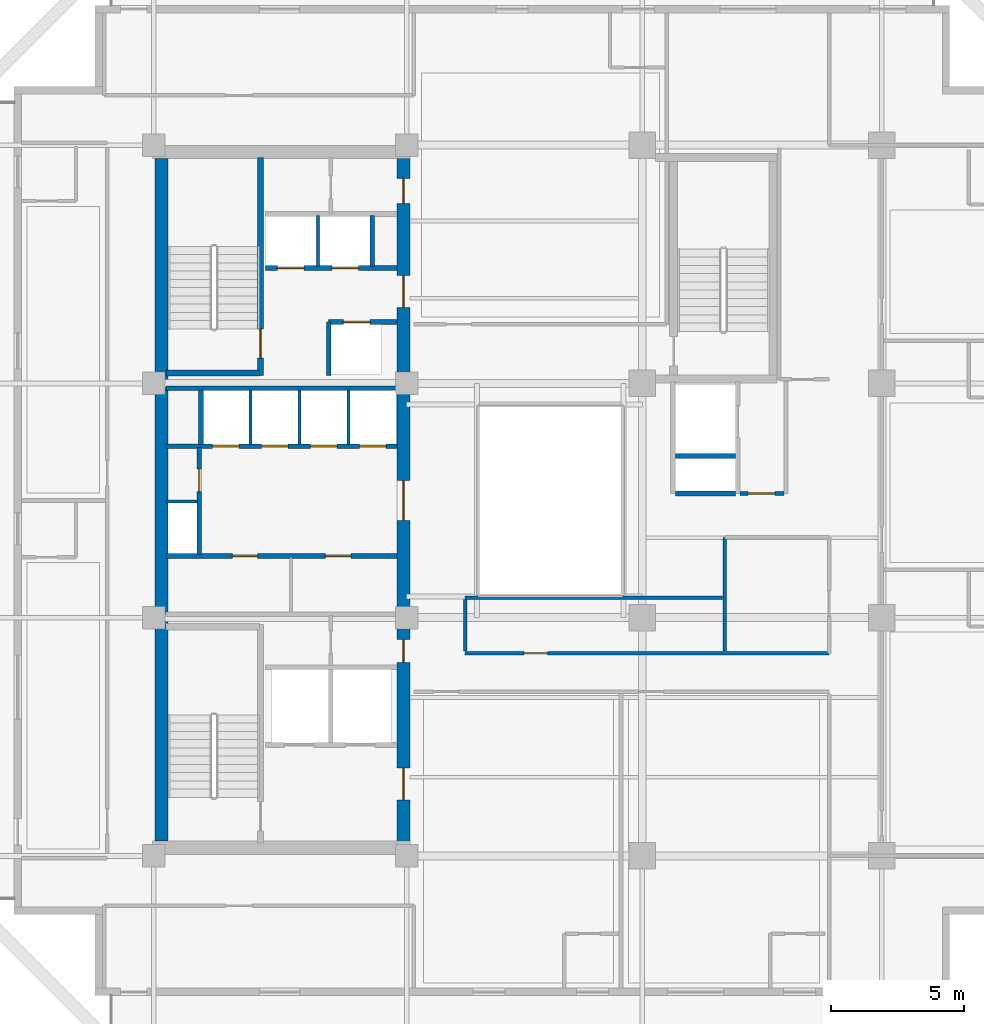
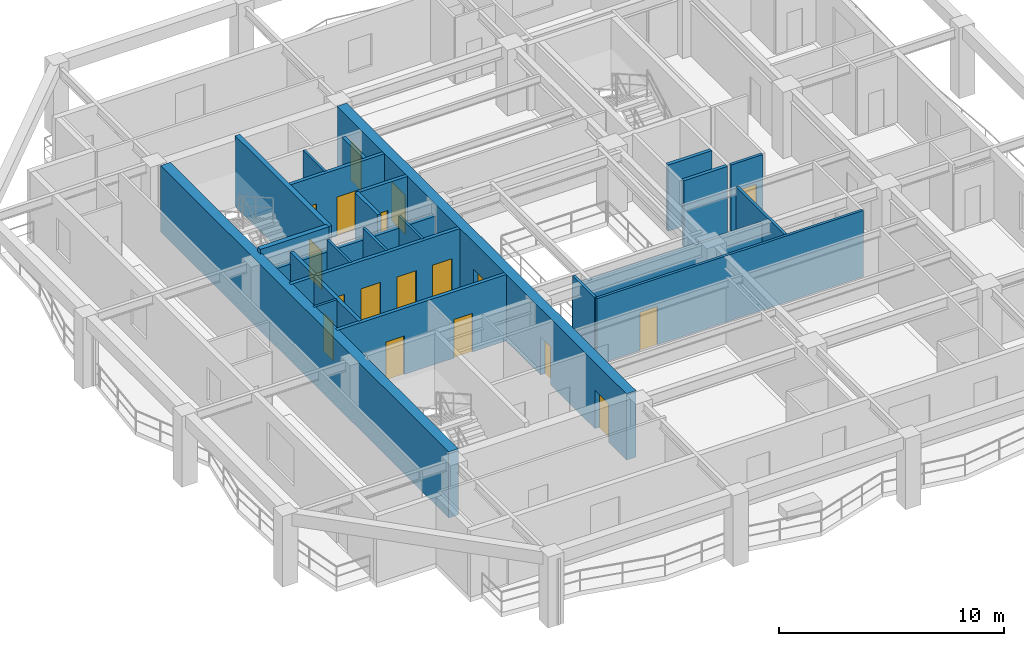
# One storey, part 4 of 11: 25 walls, 18 doors, 18 openings.
"""IFC4 building model written with IfcOpenShell, lengths in metres."""

from ifc_helpers import new_model, si_unit, direction, frame, frame_2d, origin, place, context, subcontext, project, spatial, rectangle, extrude, material, layer, layer_set, type_object, element, fill, save


model = new_model("IFC4")

# Units and contexts
model_context = context("Model", 3, precision=1e-05, world=origin(), true_north=direction((0.0, 1.0)))
body_context = subcontext(model_context, "Body", "Model", "MODEL_VIEW")
ifc_project = project(units=[si_unit("LENGTHUNIT", "METRE"), si_unit("AREAUNIT", "SQUARE_METRE"), si_unit("VOLUMEUNIT", "CUBIC_METRE"), si_unit("PLANEANGLEUNIT", "RADIAN"), si_unit("MASSUNIT", "GRAM", prefix="KILO")], contexts=[model_context])

# Site, building, storey
site_placement = place(None, origin())
site = spatial("IfcSite", under=ifc_project, at=site_placement, CompositionType="ELEMENT")
building_placement = place(site_placement, origin())
building = spatial("IfcBuilding", under=site, at=building_placement, Name="Kundavana Baori Tower", CompositionType="ELEMENT")
storey_placement = place(building_placement, frame((0.0, 0.0, 119.39990234375)))
storey = spatial("IfcBuildingStorey", under=building, at=storey_placement, Name="L28", CompositionType="ELEMENT", Elevation=119.39990234375)

# Wall, opening, door
ifc_material_1 = material(Name="Concrete C50/60", Category="concrete")
ifc_layer_1 = layer(ifc_material_1, 0.39990234375, Name="WL-CORE-400")
ifc_layer_set_1 = layer_set([ifc_layer_1], Name="Concrete C50/60")
wall_type_1 = type_object("IfcWallType", Name="WL-CORE-400", PredefinedType="SHEAR", material=ifc_layer_set_1)
wall_1_placement = place(storey_placement, frame((19.4599609375, 33.300048828125, 0.0), z_axis=(0.0, 0.0, 1.0), x_axis=(0.0, 1.0, 0.0)))
wall_1 = element("IfcWall", 1, at=wall_1_placement, inside=storey, type_object=wall_type_1, Name="WL-L28-ST2-E", PredefinedType="SHEAR", context=body_context, shape_type="SweptSolid", body=[
    extrude(rectangle(XDim=8.179931640625, YDim=0.239990234375, at=frame_2d((4.08984375, 0.0))), origin(), (0.0, 0.0, 1.0), 3.85009765625),
])
opening_1_placement = place(wall_1_placement, frame((0.64990234375, 0.0, 0.0)))
opening_1 = element("IfcOpeningElement", 2, at=opening_1_placement, cuts=wall_1, Name="Opening FD-110", PredefinedType="OPENING", context=body_context, shape_type="SweptSolid", body=[
    extrude(rectangle(XDim=1.10009765625, YDim=2.10009765625, at=frame_2d((0.550048828125, 1.050048828125))), frame((0.0, 0.1298828125, 0.0), z_axis=(0.0, -1.0, 0.0), x_axis=(1.0, 0.0, 0.0)), (0.0, 0.0, 1.0), 0.260009765625),
])
ifc_material_2 = material(Name="Galvanised Steel Fire-Rated Door Leaf", Category="steel")
door_type_1 = type_object("IfcDoorType", Name="DR-FD120-1100", OperationType="NOTDEFINED", PredefinedType="DOOR", material=ifc_material_2)
door_1_placement = place(opening_1_placement, origin())
door_1 = element("IfcDoor", 3, at=door_1_placement, inside=storey, type_object=door_type_1, Name="DR-L28-ST2", OperationType="SINGLE_SWING_RIGHT", OverallHeight=2.10009765625, OverallWidth=1.10009765625, PredefinedType="DOOR", context=body_context, shape_type="SweptSolid", body=[
    extrude(rectangle(XDim=1.10009765625, YDim=2.10009765625, at=frame_2d((0.550048828125, 1.050048828125))), frame((0.0, 0.02490234375, 0.0), z_axis=(0.0, -1.0, 0.0), x_axis=(1.0, 0.0, 0.0)), (0.0, 0.0, 1.0), 0.050048828125),
])
fill(opening_1, door_1)

# Walls
wall_2_placement = place(storey_placement, frame((15.89990234375, 33.389892578125, 0.0), z_axis=(0.0, 0.0, 1.0), x_axis=(1.0, 0.0, 0.0)))
element("IfcWall", 4, at=wall_2_placement, inside=storey, type_object=wall_type_1, Name="WL-L28-ST2-S", PredefinedType="SHEAR", context=body_context, shape_type="SweptSolid", body=[
    extrude(rectangle(XDim=3.52001953125, YDim=0.239990234375, at=frame_2d((1.760009765625, 0.0))), origin(), (0.0, 0.0, 1.0), 3.85009765625),
])
ifc_material_3 = material(Name="Concrete C50/60", Category="concrete")
ifc_layer_2 = layer(ifc_material_3, 0.5, Name="WL-CORE-500")
ifc_layer_set_2 = layer_set([ifc_layer_2], Name="Concrete C50/60")
wall_type_2 = type_object("IfcWallType", Name="WL-CORE-500", PredefinedType="SHEAR", material=ifc_layer_set_2)
wall_3_placement = place(storey_placement, frame((15.739990234375, 15.81005859375, 0.0), z_axis=(0.0, 0.0, 1.0), x_axis=(0.0, 1.0, 0.0)))
element("IfcWall", 5, at=wall_3_placement, inside=storey, type_object=wall_type_2, Name="L28 Offset Core West Shear Wall", PredefinedType="SHEAR", context=body_context, shape_type="SweptSolid", body=[
    extrude(rectangle(XDim=25.6298828125, YDim=0.5, at=frame_2d((12.81494140625, 0.0))), origin(), (0.0, 0.0, 1.0), 3.60009765625),
])

# Wall, openings, doors
wall_4_placement = place(storey_placement, frame((24.830078125, 15.739990234375, 0.0), z_axis=(0.0, 0.0, 1.0), x_axis=(0.0, 1.0, 0.0)))
wall_4 = element("IfcWall", 6, at=wall_4_placement, inside=storey, type_object=wall_type_2, Name="L28 Offset Core East Shear Wall", PredefinedType="SHEAR", context=body_context, shape_type="SweptSolid", body=[
    extrude(rectangle(XDim=25.760009765625, YDim=0.5, at=frame_2d((12.8798828125, 0.0))), origin(), (0.0, 0.0, 1.0), 3.60009765625),
])
opening_2_placement = place(wall_4_placement, frame((1.610107421875, 0.0, 0.0)))
opening_2 = element("IfcOpeningElement", 7, at=opening_2_placement, cuts=wall_4, Name="Opening FD-120", PredefinedType="OPENING", context=body_context, shape_type="SweptSolid", body=[
    extrude(rectangle(XDim=1.199951171875, YDim=2.10009765625, at=frame_2d((0.60009765625, 1.050048828125))), frame((0.0, 0.260009765625, 0.0), z_axis=(0.0, -1.0, 0.0), x_axis=(1.0, 0.0, 0.0)), (0.0, 0.0, 1.0), 0.52001953125),
])
opening_3_placement = place(wall_4_placement, frame((6.780029296875, 0.0, 0.0)))
opening_3 = element("IfcOpeningElement", 8, at=opening_3_placement, cuts=wall_4, Name="Opening FD-085", PredefinedType="OPENING", context=body_context, shape_type="SweptSolid", body=[
    extrude(rectangle(XDim=0.85009765625, YDim=2.06005859375, at=frame_2d((0.425048828125, 1.030029296875))), frame((0.0, 0.260009765625, 0.0), z_axis=(0.0, -1.0, 0.0), x_axis=(1.0, 0.0, 0.0)), (0.0, 0.0, 1.0), 0.52001953125),
])
opening_4_placement = place(wall_4_placement, frame((12.110107421875, 0.0, 0.0)))
opening_4 = element("IfcOpeningElement", 9, at=opening_4_placement, cuts=wall_4, Name="Opening FD-150", PredefinedType="OPENING", context=body_context, shape_type="SweptSolid", body=[
    extrude(rectangle(XDim=1.5, YDim=2.1201171875, at=frame_2d((0.75, 1.06005859375))), frame((0.0, 0.260009765625, 0.0), z_axis=(0.0, -1.0, 0.0), x_axis=(1.0, 0.0, 0.0)), (0.0, 0.0, 1.0), 0.52001953125),
])
opening_5_placement = place(wall_4_placement, frame((20.110107421875, 0.0, 0.0)))
opening_5 = element("IfcOpeningElement", 10, at=opening_5_placement, cuts=wall_4, Name="Opening FD-122", PredefinedType="OPENING", context=body_context, shape_type="SweptSolid", body=[
    extrude(rectangle(XDim=1.199951171875, YDim=2.1201171875, at=frame_2d((0.60009765625, 1.06005859375))), frame((0.0, 0.260009765625, 0.0), z_axis=(0.0, -1.0, 0.0), x_axis=(1.0, 0.0, 0.0)), (0.0, 0.0, 1.0), 0.52001953125),
])
opening_6_placement = place(wall_4_placement, frame((24.010009765625, 0.0, 0.0)))
opening_6 = element("IfcOpeningElement", 11, at=opening_6_placement, cuts=wall_4, Name="Opening FD-095", PredefinedType="OPENING", context=body_context, shape_type="SweptSolid", body=[
    extrude(rectangle(XDim=0.949951171875, YDim=2.10009765625, at=frame_2d((0.47509765625, 1.050048828125))), frame((0.0, 0.260009765625, 0.0), z_axis=(0.0, -1.0, 0.0), x_axis=(1.0, 0.0, 0.0)), (0.0, 0.0, 1.0), 0.52001953125),
])
ifc_material_4 = material(Name="Galvanised Steel Fire-Rated Door Leaf", Category="steel")
door_type_2 = type_object("IfcDoorType", Name="DR-FD120-1200", OperationType="NOTDEFINED", PredefinedType="DOOR", material=ifc_material_4)
door_2_placement = place(opening_2_placement, frame((1.199951171875, 0.0, 0.0), z_axis=(0.0, 0.0, 1.0), x_axis=(-1.0, 0.0, 0.0)))
door_2 = element("IfcDoor", 12, at=door_2_placement, inside=storey, type_object=door_type_2, Name="DR-L28-FFLOB-E", OperationType="SINGLE_SWING_RIGHT", OverallHeight=2.10009765625, OverallWidth=1.199951171875, PredefinedType="DOOR", context=body_context, shape_type="SweptSolid", body=[
    extrude(rectangle(XDim=1.199951171875, YDim=2.10009765625, at=frame_2d((0.60009765625, 1.050048828125))), frame((0.0, 0.02490234375, 0.0), z_axis=(0.0, -1.0, 0.0), x_axis=(1.0, 0.0, 0.0)), (0.0, 0.0, 1.0), 0.050048828125),
])
fill(opening_2, door_2)
ifc_material_5 = material(Name="Galvanised Steel Fire-Rated Door Leaf", Category="steel")
door_type_3 = type_object("IfcDoorType", Name="DR-FD60-1200", OperationType="NOTDEFINED", PredefinedType="DOOR", material=ifc_material_5)
door_3_placement = place(opening_5_placement, frame((1.199951171875, 0.0, 0.0), z_axis=(0.0, 0.0, 1.0), x_axis=(-1.0, 0.0, 0.0)))
door_3 = element("IfcDoor", 13, at=door_3_placement, inside=storey, type_object=door_type_3, Name="DR-L28-HRLOB-E", OperationType="SINGLE_SWING_RIGHT", OverallHeight=2.1201171875, OverallWidth=1.199951171875, PredefinedType="DOOR", context=body_context, shape_type="SweptSolid", body=[
    extrude(rectangle(XDim=1.199951171875, YDim=2.1201171875, at=frame_2d((0.60009765625, 1.06005859375))), frame((0.0, 0.02490234375, 0.0), z_axis=(0.0, -1.0, 0.0), x_axis=(1.0, 0.0, 0.0)), (0.0, 0.0, 1.0), 0.050048828125),
])
fill(opening_5, door_3)
ifc_material_6 = material(Name="Galvanised Steel Fire-Rated Door Leaf", Category="steel")
door_type_4 = type_object("IfcDoorType", Name="DR-FD60-1500", OperationType="NOTDEFINED", PredefinedType="DOOR", material=ifc_material_6)
door_4_placement = place(opening_4_placement, frame((1.5, 0.0, 0.0), z_axis=(0.0, 0.0, 1.0), x_axis=(-1.0, 0.0, 0.0)))
door_4 = element("IfcDoor", 14, at=door_4_placement, inside=storey, type_object=door_type_4, Name="DR-L28-LIFTHALL-E", OperationType="SINGLE_SWING_LEFT", OverallHeight=2.1201171875, OverallWidth=1.5, PredefinedType="DOOR", context=body_context, shape_type="SweptSolid", body=[
    extrude(rectangle(XDim=1.5, YDim=2.1201171875, at=frame_2d((0.75, 1.06005859375))), frame((0.0, 0.02490234375, 0.0), z_axis=(0.0, -1.0, 0.0), x_axis=(1.0, 0.0, 0.0)), (0.0, 0.0, 1.0), 0.050048828125),
])
fill(opening_4, door_4)
ifc_material_7 = material(Name="Galvanised Steel Fire-Rated Door Leaf", Category="steel")
door_type_5 = type_object("IfcDoorType", Name="DR-FD60-850", OperationType="NOTDEFINED", PredefinedType="DOOR", material=ifc_material_7)
door_5_placement = place(opening_3_placement, frame((0.85009765625, 0.0, 0.0), z_axis=(0.0, 0.0, 1.0), x_axis=(-1.0, 0.0, 0.0)))
door_5 = element("IfcDoor", 15, at=door_5_placement, inside=storey, type_object=door_type_5, Name="DR-L28-CSMK2", OperationType="SINGLE_SWING_RIGHT", OverallHeight=2.06005859375, OverallWidth=0.85009765625, PredefinedType="DOOR", context=body_context, shape_type="SweptSolid", body=[
    extrude(rectangle(XDim=0.85009765625, YDim=2.06005859375, at=frame_2d((0.425048828125, 1.030029296875))), frame((0.0, 0.02490234375, 0.0), z_axis=(0.0, -1.0, 0.0), x_axis=(1.0, 0.0, 0.0)), (0.0, 0.0, 1.0), 0.050048828125),
])
fill(opening_3, door_5)
ifc_material_8 = material(Name="Engineered Teak Fire-Rated Timber Door Leaf", Category="wood")
door_type_6 = type_object("IfcDoorType", Name="DR-FD60-950", OperationType="NOTDEFINED", PredefinedType="DOOR", material=ifc_material_8)
door_6_placement = place(opening_6_placement, frame((0.949951171875, 0.0, 0.0), z_axis=(0.0, 0.0, 1.0), x_axis=(-1.0, 0.0, 0.0)))
door_6 = element("IfcDoor", 16, at=door_6_placement, inside=storey, type_object=door_type_6, Name="DR-L28-CSRV2", OperationType="SINGLE_SWING_RIGHT", OverallHeight=2.10009765625, OverallWidth=0.949951171875, PredefinedType="DOOR", context=body_context, shape_type="SweptSolid", body=[
    extrude(rectangle(XDim=0.949951171875, YDim=2.10009765625, at=frame_2d((0.47509765625, 1.050048828125))), frame((0.0, 0.02490234375, 0.0), z_axis=(0.0, -1.0, 0.0), x_axis=(1.0, 0.0, 0.0)), (0.0, 0.0, 1.0), 0.050048828125),
])
fill(opening_6, door_6)

# Walls
ifc_material_9 = material(Name="Acoustic Gypsum Plasterboard on Galvanised Steel Studs", Category="steel")
ifc_layer_3 = layer(ifc_material_9, 0.1201171875, Name="WL-PART-120")
ifc_layer_set_3 = layer_set([ifc_layer_3], Name="Acoustic Gypsum Plasterboard on Galvanised Steel Studs")
wall_type_3 = type_object("IfcWallType", Name="WL-PART-120", PredefinedType="PARTITIONING", material=ifc_layer_set_3)
wall_5_placement = place(storey_placement, frame((15.89990234375, 28.56005859375, 0.0), z_axis=(0.0, 0.0, 1.0), x_axis=(1.0, 0.0, 0.0)))
element("IfcWall", 17, at=wall_5_placement, inside=storey, type_object=wall_type_3, Name="WL-L28-RSRW-N", PredefinedType="PARTITIONING", context=body_context, shape_type="SweptSolid", body=[
    extrude(rectangle(XDim=1.2001953125, YDim=0.1201171875, at=frame_2d((0.60009765625, 0.0))), origin(), (0.0, 0.0, 1.0), 3.60009765625),
])
for number, where, z_axis, x_axis, name in (
    (18, (19.080078125, 30.699951171875, 0.0), (0.0, 0.0, 1.0), (0.0, 1.0, 0.0), "WL-L28-LPMID-D1"),
    (19, (20.919921875, 30.699951171875, 0.0), (0.0, 0.0, 1.0), (0.0, 1.0, 0.0), "WL-L28-LPMID-D2"),
    (20, (22.760009765625, 30.699951171875, 0.0), (0.0, 0.0, 1.0), (0.0, 1.0, 0.0), "WL-L28-LPMID-D3"),
):
    element("IfcWall", number, at=place(storey_placement, frame(where, z_axis=z_axis, x_axis=x_axis)), inside=storey, type_object=wall_type_3, Name=name, PredefinedType="PARTITIONING", context=body_context, shape_type="SweptSolid", body=[
        extrude(rectangle(XDim=2.050048828125, YDim=0.1201171875, at=frame_2d((1.02490234375, 0.0))), origin(), (0.0, 0.0, 1.0), 3.60009765625),
    ])
wall_6_placement = place(storey_placement, frame((21.6201171875, 37.39990234375, 0.0), z_axis=(0.0, 0.0, 1.0), x_axis=(0.0, 1.0, 0.0)))
element("IfcWall", 21, at=wall_6_placement, inside=storey, type_object=wall_type_3, Name="WL-L28-HR-DIV1", PredefinedType="PARTITIONING", context=body_context, shape_type="SweptSolid", body=[
    extrude(rectangle(XDim=1.900146484375, YDim=0.1201171875, at=frame_2d((0.9501953125, 0.0))), origin(), (0.0, 0.0, 1.0), 3.60009765625),
])

# Wall, opening, door
ifc_material_10 = material(Name="Acoustic Gypsum Plasterboard on Galvanised Steel Studs", Category="steel")
ifc_layer_4 = layer(ifc_material_10, 0.135009765625, Name="WL-PART-135")
ifc_layer_set_4 = layer_set([ifc_layer_4], Name="Acoustic Gypsum Plasterboard on Galvanised Steel Studs")
wall_type_4 = type_object("IfcWallType", Name="WL-PART-135", PredefinedType="PARTITIONING", material=ifc_layer_set_4)
wall_7_placement = place(storey_placement, frame((27.14990234375, 22.860107421875, 0.0), z_axis=(0.0, 0.0, 1.0), x_axis=(1.0, 0.0, 0.0)))
wall_7 = element("IfcWall", 22, at=wall_7_placement, inside=storey, type_object=wall_type_4, Name="WL-L28-HST", PredefinedType="PARTITIONING", context=body_context, shape_type="SweptSolid", body=[
    extrude(rectangle(XDim=13.670166015625, YDim=0.135009765625, at=frame_2d((6.8349609375, 0.0))), origin(), (0.0, 0.0, 1.0), 3.60009765625),
])
opening_7_placement = place(wall_7_placement, frame((2.199951171875, 0.0, 0.0)))
opening_7 = element("IfcOpeningElement", 23, at=opening_7_placement, cuts=wall_7, Name="Opening ID-090", PredefinedType="OPENING", context=body_context, shape_type="SweptSolid", body=[
    extrude(rectangle(XDim=0.89990234375, YDim=2.080078125, at=frame_2d((0.449951171875, 1.0400390625))), frame((0.0, 0.07763671875, 0.0), z_axis=(0.0, -1.0, 0.0), x_axis=(1.0, 0.0, 0.0)), (0.0, 0.0, 1.0), 0.155029296875),
])
ifc_material_11 = material(Name="Engineered Teak Solid-Core Timber Veneer", Category="wood")
door_type_7 = type_object("IfcDoorType", Name="DR-INT-900", OperationType="NOTDEFINED", PredefinedType="DOOR", material=ifc_material_11)
door_7_placement = place(opening_7_placement, origin())
door_7 = element("IfcDoor", 24, at=door_7_placement, inside=storey, type_object=door_type_7, Name="DR-L28-HPNT", OperationType="SINGLE_SWING_LEFT", OverallHeight=2.080078125, OverallWidth=0.89990234375, PredefinedType="DOOR", context=body_context, shape_type="SweptSolid", body=[
    extrude(rectangle(XDim=0.89990234375, YDim=2.080078125, at=frame_2d((0.449951171875, 1.0400390625))), frame((0.0, 0.02490234375, 0.0), z_axis=(0.0, -1.0, 0.0), x_axis=(1.0, 0.0, 0.0)), (0.0, 0.0, 1.0), 0.050048828125),
])
fill(opening_7, door_7)

# Walls
wall_8_placement = place(storey_placement, frame((36.89990234375, 22.93994140625, 0.0), z_axis=(0.0, 0.0, 1.0), x_axis=(0.0, 1.0, 0.0)))
element("IfcWall", 25, at=wall_8_placement, inside=storey, type_object=wall_type_4, Name="WL-L28-HKD", PredefinedType="PARTITIONING", context=body_context, shape_type="SweptSolid", body=[
    extrude(rectangle(XDim=4.280029296875, YDim=0.135009765625, at=frame_2d((2.14013671875, 0.0))), origin(), (0.0, 0.0, 1.0), 3.60009765625),
])
wall_9_placement = place(storey_placement, frame((27.14990234375, 24.949951171875, 0.0), z_axis=(0.0, 0.0, 1.0), x_axis=(1.0, 0.0, 0.0)))
element("IfcWall", 26, at=wall_9_placement, inside=storey, type_object=wall_type_4, Name="WL-L28-HPN1", PredefinedType="PARTITIONING", context=body_context, shape_type="SweptSolid", body=[
    extrude(rectangle(XDim=9.670166015625, YDim=0.135009765625, at=frame_2d((4.8349609375, 0.0))), origin(), (0.0, 0.0, 1.0), 3.050048828125),
])
wall_10_placement = place(storey_placement, frame((27.14990234375, 22.93994140625, 0.0), z_axis=(0.0, 0.0, 1.0), x_axis=(0.0, 1.0, 0.0)))
element("IfcWall", 27, at=wall_10_placement, inside=storey, type_object=wall_type_4, Name="WL-L28-HPN2", PredefinedType="PARTITIONING", context=body_context, shape_type="SweptSolid", body=[
    extrude(rectangle(XDim=1.93994140625, YDim=0.135009765625, at=frame_2d((0.969970703125, 0.0))), origin(), (0.0, 0.0, 1.0), 3.60009765625),
])

# Wall, opening, door
ifc_material_12 = material(Name="Fire-Rated Gypsum Drywall on Galvanised Steel Studs", Category="steel")
ifc_layer_5 = layer(ifc_material_12, 0.14990234375, Name="WL-PART-150")
ifc_layer_set_5 = layer_set([ifc_layer_5], Name="Fire-Rated Gypsum Drywall on Galvanised Steel Studs")
wall_type_5 = type_object("IfcWallType", Name="WL-PART-150", PredefinedType="PARTITIONING", material=ifc_layer_set_5)
wall_11_placement = place(storey_placement, frame((37.47998046875, 28.860107421875, 0.0), z_axis=(0.0, 0.0, 1.0), x_axis=(1.0, 0.0, 0.0)))
wall_11 = element("IfcWall", 28, at=wall_11_placement, inside=storey, type_object=wall_type_5, Name="WL-L28-SVLOB-S", PredefinedType="PARTITIONING", context=body_context, shape_type="SweptSolid", body=[
    extrude(rectangle(XDim=1.64013671875, YDim=0.14990234375, at=frame_2d((0.820068359375, 0.0))), origin(), (0.0, 0.0, 1.0), 3.60009765625),
])
opening_8_placement = place(wall_11_placement, frame((0.300048828125, 0.0, 0.0)))
opening_8 = element("IfcOpeningElement", 29, at=opening_8_placement, cuts=wall_11, Name="Opening FD-100", PredefinedType="OPENING", context=body_context, shape_type="SweptSolid", body=[
    extrude(rectangle(XDim=1.0, YDim=2.10009765625, at=frame_2d((0.5, 1.050048828125))), frame((0.0, 0.0849609375, 0.0), z_axis=(0.0, -1.0, 0.0), x_axis=(1.0, 0.0, 0.0)), (0.0, 0.0, 1.0), 0.169921875),
])
ifc_material_13 = material(Name="Engineered Teak Fire-Rated Timber Door Leaf", Category="wood")
door_type_8 = type_object("IfcDoorType", Name="DR-FD60-1000", OperationType="NOTDEFINED", PredefinedType="DOOR", material=ifc_material_13)
door_8_placement = place(opening_8_placement, origin())
door_8 = element("IfcDoor", 30, at=door_8_placement, inside=storey, type_object=door_type_8, Name="DR-L28-SVLOB-OUT", OperationType="SINGLE_SWING_LEFT", OverallHeight=2.10009765625, OverallWidth=1.0, PredefinedType="DOOR", context=body_context, shape_type="SweptSolid", body=[
    extrude(rectangle(XDim=1.0, YDim=2.10009765625, at=frame_2d((0.5, 1.050048828125))), frame((0.0, 0.02490234375, 0.0), z_axis=(0.0, -1.0, 0.0), x_axis=(1.0, 0.0, 0.0)), (0.0, 0.0, 1.0), 0.050048828125),
])
fill(opening_8, door_8)

# Wall, openings, doors
ifc_material_14 = material(Name="Autoclaved Aerated Concrete Blockwork Masonry", Category="masonry")
ifc_layer_6 = layer(ifc_material_14, 0.179931640625, Name="WL-SHAFT-180")
ifc_layer_set_6 = layer_set([ifc_layer_6], Name="Autoclaved Aerated Concrete Blockwork Masonry")
wall_type_6 = type_object("IfcWallType", Name="WL-SHAFT-180", PredefinedType="SOLIDWALL", material=ifc_layer_set_6)
wall_12_placement = place(storey_placement, frame((15.89990234375, 26.52001953125, 0.0), z_axis=(0.0, 0.0, 1.0), x_axis=(1.0, 0.0, 0.0)))
wall_12 = element("IfcWall", 31, at=wall_12_placement, inside=storey, type_object=wall_type_6, Name="WL-L28-LPLOW-N", PredefinedType="SOLIDWALL", context=body_context, shape_type="SweptSolid", body=[
    extrude(rectangle(XDim=8.68017578125, YDim=0.179931640625, at=frame_2d((4.340087890625, 0.0))), origin(), (0.0, 0.0, 1.0), 3.60009765625),
])
opening_9_placement = place(wall_12_placement, frame((2.5, 0.0, 0.0)))
opening_9 = element("IfcOpeningElement", 32, at=opening_9_placement, cuts=wall_12, Name="Opening FD-095", PredefinedType="OPENING", context=body_context, shape_type="SweptSolid", body=[
    extrude(rectangle(XDim=0.949951171875, YDim=2.10009765625, at=frame_2d((0.47509765625, 1.050048828125))), frame((0.0, 0.10009765625, 0.0), z_axis=(0.0, -1.0, 0.0), x_axis=(1.0, 0.0, 0.0)), (0.0, 0.0, 1.0), 0.199951171875),
])
opening_10_placement = place(wall_12_placement, frame((6.0, 0.0, 0.0)))
opening_10 = element("IfcOpeningElement", 33, at=opening_10_placement, cuts=wall_12, Name="Opening FD-095", PredefinedType="OPENING", context=body_context, shape_type="SweptSolid", body=[
    extrude(rectangle(XDim=0.949951171875, YDim=2.10009765625, at=frame_2d((0.47509765625, 1.050048828125))), frame((0.0, 0.10009765625, 0.0), z_axis=(0.0, -1.0, 0.0), x_axis=(1.0, 0.0, 0.0)), (0.0, 0.0, 1.0), 0.199951171875),
])
door_9_placement = place(opening_9_placement, origin())
door_9 = element("IfcDoor", 34, at=door_9_placement, inside=storey, type_object=door_type_6, Name="DR-L28-FRLOW1", OperationType="SINGLE_SWING_LEFT", OverallHeight=2.10009765625, OverallWidth=0.949951171875, PredefinedType="DOOR", context=body_context, shape_type="SweptSolid", body=[
    extrude(rectangle(XDim=0.949951171875, YDim=2.10009765625, at=frame_2d((0.47509765625, 1.050048828125))), frame((0.0, 0.02490234375, 0.0), z_axis=(0.0, -1.0, 0.0), x_axis=(1.0, 0.0, 0.0)), (0.0, 0.0, 1.0), 0.050048828125),
])
fill(opening_9, door_9)
door_10_placement = place(opening_10_placement, origin())
door_10 = element("IfcDoor", 35, at=door_10_placement, inside=storey, type_object=door_type_6, Name="DR-L28-FRLOW2", OperationType="SINGLE_SWING_RIGHT", OverallHeight=2.10009765625, OverallWidth=0.949951171875, PredefinedType="DOOR", context=body_context, shape_type="SweptSolid", body=[
    extrude(rectangle(XDim=0.949951171875, YDim=2.10009765625, at=frame_2d((0.47509765625, 1.050048828125))), frame((0.0, 0.02490234375, 0.0), z_axis=(0.0, -1.0, 0.0), x_axis=(1.0, 0.0, 0.0)), (0.0, 0.0, 1.0), 0.050048828125),
])
fill(opening_10, door_10)

# Wall, opening, door
wall_13_placement = place(storey_placement, frame((17.159912109375, 26.580078125, 0.0), z_axis=(0.0, 0.0, 1.0), x_axis=(0.0, 1.0, 0.0)))
wall_13 = element("IfcWall", 36, at=wall_13_placement, inside=storey, type_object=wall_type_6, Name="WL-L28-RSRW-E", PredefinedType="SOLIDWALL", context=body_context, shape_type="SweptSolid", body=[
    extrude(rectangle(XDim=4.02001953125, YDim=0.179931640625, at=frame_2d((2.010009765625, 0.0))), origin(), (0.0, 0.0, 1.0), 3.60009765625),
])
opening_11_placement = place(wall_13_placement, frame((2.35009765625, 0.0, 0.0)))
opening_11 = element("IfcOpeningElement", 37, at=opening_11_placement, cuts=wall_13, Name="Opening FD-085", PredefinedType="OPENING", context=body_context, shape_type="SweptSolid", body=[
    extrude(rectangle(XDim=0.85009765625, YDim=2.06005859375, at=frame_2d((0.425048828125, 1.030029296875))), frame((0.0, 0.10009765625, 0.0), z_axis=(0.0, -1.0, 0.0), x_axis=(1.0, 0.0, 0.0)), (0.0, 0.0, 1.0), 0.199951171875),
])
door_11_placement = place(opening_11_placement, origin())
door_11 = element("IfcDoor", 38, at=door_11_placement, inside=storey, type_object=door_type_5, Name="DR-L28-CLN", OperationType="SINGLE_SWING_RIGHT", OverallHeight=2.06005859375, OverallWidth=0.85009765625, PredefinedType="DOOR", context=body_context, shape_type="SweptSolid", body=[
    extrude(rectangle(XDim=0.85009765625, YDim=2.06005859375, at=frame_2d((0.425048828125, 1.030029296875))), frame((0.0, 0.02490234375, 0.0), z_axis=(0.0, -1.0, 0.0), x_axis=(1.0, 0.0, 0.0)), (0.0, 0.0, 1.0), 0.050048828125),
])
fill(opening_11, door_11)

# Wall, openings, doors
wall_14_placement = place(storey_placement, frame((15.89990234375, 30.639892578125, 0.0), z_axis=(0.0, 0.0, 1.0), x_axis=(1.0, 0.0, 0.0)))
wall_14 = element("IfcWall", 39, at=wall_14_placement, inside=storey, type_object=wall_type_6, Name="WL-L28-LPMID-S", PredefinedType="SOLIDWALL", context=body_context, shape_type="SweptSolid", body=[
    extrude(rectangle(XDim=8.68017578125, YDim=0.179931640625, at=frame_2d((4.340087890625, 0.0))), origin(), (0.0, 0.0, 1.0), 3.60009765625),
])
opening_12_placement = place(wall_14_placement, frame((1.760009765625, 0.0, 0.0)))
opening_12 = element("IfcOpeningElement", 40, at=opening_12_placement, cuts=wall_14, Name="Opening LD-100", PredefinedType="OPENING", context=body_context, shape_type="SweptSolid", body=[
    extrude(rectangle(XDim=1.0, YDim=2.10009765625, at=frame_2d((0.5, 1.050048828125))), frame((0.0, 0.10009765625, 0.0), z_axis=(0.0, -1.0, 0.0), x_axis=(1.0, 0.0, 0.0)), (0.0, 0.0, 1.0), 0.199951171875),
])
opening_13_placement = place(wall_14_placement, frame((3.60009765625, 0.0, 0.0)))
opening_13 = element("IfcOpeningElement", 41, at=opening_13_placement, cuts=wall_14, Name="Opening LD-100", PredefinedType="OPENING", context=body_context, shape_type="SweptSolid", body=[
    extrude(rectangle(XDim=1.0, YDim=2.10009765625, at=frame_2d((0.5, 1.050048828125))), frame((0.0, 0.10009765625, 0.0), z_axis=(0.0, -1.0, 0.0), x_axis=(1.0, 0.0, 0.0)), (0.0, 0.0, 1.0), 0.199951171875),
])
opening_14_placement = place(wall_14_placement, frame((5.43994140625, 0.0, 0.0)))
opening_14 = element("IfcOpeningElement", 42, at=opening_14_placement, cuts=wall_14, Name="Opening LD-100", PredefinedType="OPENING", context=body_context, shape_type="SweptSolid", body=[
    extrude(rectangle(XDim=1.0, YDim=2.10009765625, at=frame_2d((0.5, 1.050048828125))), frame((0.0, 0.10009765625, 0.0), z_axis=(0.0, -1.0, 0.0), x_axis=(1.0, 0.0, 0.0)), (0.0, 0.0, 1.0), 0.199951171875),
])
opening_15_placement = place(wall_14_placement, frame((7.280029296875, 0.0, 0.0)))
opening_15 = element("IfcOpeningElement", 43, at=opening_15_placement, cuts=wall_14, Name="Opening LD-100", PredefinedType="OPENING", context=body_context, shape_type="SweptSolid", body=[
    extrude(rectangle(XDim=1.0, YDim=2.10009765625, at=frame_2d((0.5, 1.050048828125))), frame((0.0, 0.10009765625, 0.0), z_axis=(0.0, -1.0, 0.0), x_axis=(1.0, 0.0, 0.0)), (0.0, 0.0, 1.0), 0.199951171875),
])
ifc_material_15 = material(Name="Galvanised Steel Fire-Rated Door Leaf", Category="steel")
door_type_9 = type_object("IfcDoorType", Name="DR-SLIDE-LD1000", OperationType="NOTDEFINED", PredefinedType="DOOR", material=ifc_material_15)
door_12_placement = place(opening_12_placement, frame((1.0, 0.0, 0.0), z_axis=(0.0, 0.0, 1.0), x_axis=(-1.0, 0.0, 0.0)))
door_12 = element("IfcDoor", 44, at=door_12_placement, inside=storey, type_object=door_type_9, Name="DR-L28-LD-LP-05", OperationType="DOUBLE_DOOR_SLIDING", OverallHeight=2.10009765625, OverallWidth=1.0, PredefinedType="DOOR", context=body_context, shape_type="SweptSolid", body=[
    extrude(rectangle(XDim=1.0, YDim=2.10009765625, at=frame_2d((0.5, 1.050048828125))), frame((0.0, 0.02490234375, 0.0), z_axis=(0.0, -1.0, 0.0), x_axis=(1.0, 0.0, 0.0)), (0.0, 0.0, 1.0), 0.050048828125),
])
fill(opening_12, door_12)
door_13_placement = place(opening_13_placement, frame((1.0, 0.0, 0.0), z_axis=(0.0, 0.0, 1.0), x_axis=(-1.0, 0.0, 0.0)))
door_13 = element("IfcDoor", 45, at=door_13_placement, inside=storey, type_object=door_type_9, Name="DR-L28-LD-LP-06", OperationType="DOUBLE_DOOR_SLIDING", OverallHeight=2.10009765625, OverallWidth=1.0, PredefinedType="DOOR", context=body_context, shape_type="SweptSolid", body=[
    extrude(rectangle(XDim=1.0, YDim=2.10009765625, at=frame_2d((0.5, 1.050048828125))), frame((0.0, 0.02490234375, 0.0), z_axis=(0.0, -1.0, 0.0), x_axis=(1.0, 0.0, 0.0)), (0.0, 0.0, 1.0), 0.050048828125),
])
fill(opening_13, door_13)
door_14_placement = place(opening_14_placement, frame((1.0, 0.0, 0.0), z_axis=(0.0, 0.0, 1.0), x_axis=(-1.0, 0.0, 0.0)))
door_14 = element("IfcDoor", 46, at=door_14_placement, inside=storey, type_object=door_type_9, Name="DR-L28-LD-LP-07", OperationType="DOUBLE_DOOR_SLIDING", OverallHeight=2.10009765625, OverallWidth=1.0, PredefinedType="DOOR", context=body_context, shape_type="SweptSolid", body=[
    extrude(rectangle(XDim=1.0, YDim=2.10009765625, at=frame_2d((0.5, 1.050048828125))), frame((0.0, 0.02490234375, 0.0), z_axis=(0.0, -1.0, 0.0), x_axis=(1.0, 0.0, 0.0)), (0.0, 0.0, 1.0), 0.050048828125),
])
fill(opening_14, door_14)
door_15_placement = place(opening_15_placement, frame((1.0, 0.0, 0.0), z_axis=(0.0, 0.0, 1.0), x_axis=(-1.0, 0.0, 0.0)))
door_15 = element("IfcDoor", 47, at=door_15_placement, inside=storey, type_object=door_type_9, Name="DR-L28-LD-LP-08", OperationType="DOUBLE_DOOR_SLIDING", OverallHeight=2.10009765625, OverallWidth=1.0, PredefinedType="DOOR", context=body_context, shape_type="SweptSolid", body=[
    extrude(rectangle(XDim=1.0, YDim=2.10009765625, at=frame_2d((0.5, 1.050048828125))), frame((0.0, 0.02490234375, 0.0), z_axis=(0.0, -1.0, 0.0), x_axis=(1.0, 0.0, 0.0)), (0.0, 0.0, 1.0), 0.050048828125),
])
fill(opening_15, door_15)

# Walls
wall_15_placement = place(storey_placement, frame((15.89990234375, 32.820068359375, 0.0), z_axis=(0.0, 0.0, 1.0), x_axis=(1.0, 0.0, 0.0)))
element("IfcWall", 48, at=wall_15_placement, inside=storey, type_object=wall_type_6, Name="WL-L28-LPMID-N", PredefinedType="SOLIDWALL", context=body_context, shape_type="SweptSolid", body=[
    extrude(rectangle(XDim=8.68017578125, YDim=0.179931640625, at=frame_2d((4.340087890625, 0.0))), origin(), (0.0, 0.0, 1.0), 2.9501953125),
])
wall_16_placement = place(storey_placement, frame((17.219970703125, 30.699951171875, 0.0), z_axis=(0.0, 0.0, 1.0), x_axis=(0.0, 1.0, 0.0)))
element("IfcWall", 49, at=wall_16_placement, inside=storey, type_object=wall_type_6, Name="WL-L28-LPMID-W", PredefinedType="SOLIDWALL", context=body_context, shape_type="SweptSolid", body=[
    extrude(rectangle(XDim=2.050048828125, YDim=0.179931640625, at=frame_2d((1.02490234375, 0.0))), origin(), (0.0, 0.0, 1.0), 3.60009765625),
])

# Wall, opening, door
wall_17_placement = place(storey_placement, frame((22.02001953125, 35.31005859375, 0.0), z_axis=(0.0, 0.0, 1.0), x_axis=(1.0, 0.0, 0.0)))
wall_17 = element("IfcWall", 50, at=wall_17_placement, inside=storey, type_object=wall_type_6, Name="WL-L28-LP11-N", PredefinedType="SOLIDWALL", context=body_context, shape_type="SweptSolid", body=[
    extrude(rectangle(XDim=2.56005859375, YDim=0.179931640625, at=frame_2d((1.280029296875, 0.0))), origin(), (0.0, 0.0, 1.0), 3.60009765625),
])
opening_16_placement = place(wall_17_placement, frame((0.550048828125, 0.0, 0.0)))
opening_16 = element("IfcOpeningElement", 51, at=opening_16_placement, cuts=wall_17, Name="Opening LD-100", PredefinedType="OPENING", context=body_context, shape_type="SweptSolid", body=[
    extrude(rectangle(XDim=1.0, YDim=2.10009765625, at=frame_2d((0.5, 1.050048828125))), frame((0.0, 0.10009765625, 0.0), z_axis=(0.0, -1.0, 0.0), x_axis=(1.0, 0.0, 0.0)), (0.0, 0.0, 1.0), 0.199951171875),
])
door_16_placement = place(opening_16_placement, origin())
door_16 = element("IfcDoor", 52, at=door_16_placement, inside=storey, type_object=door_type_9, Name="DR-L28-LD-LP11", OperationType="DOUBLE_DOOR_SLIDING", OverallHeight=2.10009765625, OverallWidth=1.0, PredefinedType="DOOR", context=body_context, shape_type="SweptSolid", body=[
    extrude(rectangle(XDim=1.0, YDim=2.10009765625, at=frame_2d((0.5, 1.050048828125))), frame((0.0, 0.02490234375, 0.0), z_axis=(0.0, -1.0, 0.0), x_axis=(1.0, 0.0, 0.0)), (0.0, 0.0, 1.0), 0.050048828125),
])
fill(opening_16, door_16)

# Wall
wall_18_placement = place(storey_placement, frame((22.02001953125, 33.300048828125, 0.0), z_axis=(0.0, 0.0, 1.0), x_axis=(0.0, 1.0, 0.0)))
element("IfcWall", 53, at=wall_18_placement, inside=storey, type_object=wall_type_6, Name="WL-L28-LP11-W", PredefinedType="SOLIDWALL", context=body_context, shape_type="SweptSolid", body=[
    extrude(rectangle(XDim=2.010009765625, YDim=0.179931640625, at=frame_2d((1.0048828125, 0.0))), origin(), (0.0, 0.0, 1.0), 3.60009765625),
])

# Wall, openings, doors
wall_19_placement = place(storey_placement, frame((19.639892578125, 37.340087890625, 0.0), z_axis=(0.0, 0.0, 1.0), x_axis=(1.0, 0.0, 0.0)))
wall_19 = element("IfcWall", 54, at=wall_19_placement, inside=storey, type_object=wall_type_6, Name="WL-L28-HRLOB-N", PredefinedType="SOLIDWALL", context=body_context, shape_type="SweptSolid", body=[
    extrude(rectangle(XDim=4.940185546875, YDim=0.179931640625, at=frame_2d((2.47021484375, 0.0))), origin(), (0.0, 0.0, 1.0), 3.60009765625),
])
opening_17_placement = place(wall_19_placement, frame((0.449951171875, 0.0, 0.0)))
opening_17 = element("IfcOpeningElement", 55, at=opening_17_placement, cuts=wall_19, Name="Opening LD-100", PredefinedType="OPENING", context=body_context, shape_type="SweptSolid", body=[
    extrude(rectangle(XDim=1.0, YDim=2.10009765625, at=frame_2d((0.5, 1.050048828125))), frame((0.0, 0.10009765625, 0.0), z_axis=(0.0, -1.0, 0.0), x_axis=(1.0, 0.0, 0.0)), (0.0, 0.0, 1.0), 0.199951171875),
])
opening_18_placement = place(wall_19_placement, frame((2.5, 0.0, 0.0)))
opening_18 = element("IfcOpeningElement", 56, at=opening_18_placement, cuts=wall_19, Name="Opening LD-100", PredefinedType="OPENING", context=body_context, shape_type="SweptSolid", body=[
    extrude(rectangle(XDim=1.0, YDim=2.10009765625, at=frame_2d((0.5, 1.050048828125))), frame((0.0, 0.10009765625, 0.0), z_axis=(0.0, -1.0, 0.0), x_axis=(1.0, 0.0, 0.0)), (0.0, 0.0, 1.0), 0.199951171875),
])
door_17_placement = place(opening_17_placement, frame((1.0, 0.0, 0.0), z_axis=(0.0, 0.0, 1.0), x_axis=(-1.0, 0.0, 0.0)))
door_17 = element("IfcDoor", 57, at=door_17_placement, inside=storey, type_object=door_type_9, Name="DR-L28-LD-LP09", OperationType="DOUBLE_DOOR_SLIDING", OverallHeight=2.10009765625, OverallWidth=1.0, PredefinedType="DOOR", context=body_context, shape_type="SweptSolid", body=[
    extrude(rectangle(XDim=1.0, YDim=2.10009765625, at=frame_2d((0.5, 1.050048828125))), frame((0.0, 0.02490234375, 0.0), z_axis=(0.0, -1.0, 0.0), x_axis=(1.0, 0.0, 0.0)), (0.0, 0.0, 1.0), 0.050048828125),
])
fill(opening_17, door_17)
door_18_placement = place(opening_18_placement, frame((1.0, 0.0, 0.0), z_axis=(0.0, 0.0, 1.0), x_axis=(-1.0, 0.0, 0.0)))
door_18 = element("IfcDoor", 58, at=door_18_placement, inside=storey, type_object=door_type_9, Name="DR-L28-LD-LP10", OperationType="DOUBLE_DOOR_SLIDING", OverallHeight=2.10009765625, OverallWidth=1.0, PredefinedType="DOOR", context=body_context, shape_type="SweptSolid", body=[
    extrude(rectangle(XDim=1.0, YDim=2.10009765625, at=frame_2d((0.5, 1.050048828125))), frame((0.0, 0.02490234375, 0.0), z_axis=(0.0, -1.0, 0.0), x_axis=(1.0, 0.0, 0.0)), (0.0, 0.0, 1.0), 0.050048828125),
])
fill(opening_18, door_18)

# Walls
wall_20_placement = place(storey_placement, frame((23.659912109375, 37.39990234375, 0.0), z_axis=(0.0, 0.0, 1.0), x_axis=(0.0, 1.0, 0.0)))
element("IfcWall", 59, at=wall_20_placement, inside=storey, type_object=wall_type_6, Name="WL-L28-HR-DIV2", PredefinedType="SOLIDWALL", context=body_context, shape_type="SweptSolid", body=[
    extrude(rectangle(XDim=1.900146484375, YDim=0.179931640625, at=frame_2d((0.9501953125, 0.0))), origin(), (0.0, 0.0, 1.0), 3.60009765625),
])
for number, where, z_axis, x_axis, name in (
    (60, (35.050048828125, 28.860107421875, 0.0), (0.0, 0.0, 1.0), (1.0, 0.0, 0.0), "WL-L28-SVL-S"),
    (61, (35.050048828125, 30.27001953125, 0.0), (0.0, 0.0, 1.0), (1.0, 0.0, 0.0), "WL-L28-SVL-M"),
):
    element("IfcWall", number, at=place(storey_placement, frame(where, z_axis=z_axis, x_axis=x_axis)), inside=storey, type_object=wall_type_6, Name=name, PredefinedType="SOLIDWALL", context=body_context, shape_type="SweptSolid", body=[
        extrude(rectangle(XDim=2.25, YDim=0.179931640625, at=frame_2d((1.125, 0.0))), origin(), (0.0, 0.0, 1.0), 3.60009765625),
    ])

save(model, "model.ifc")
